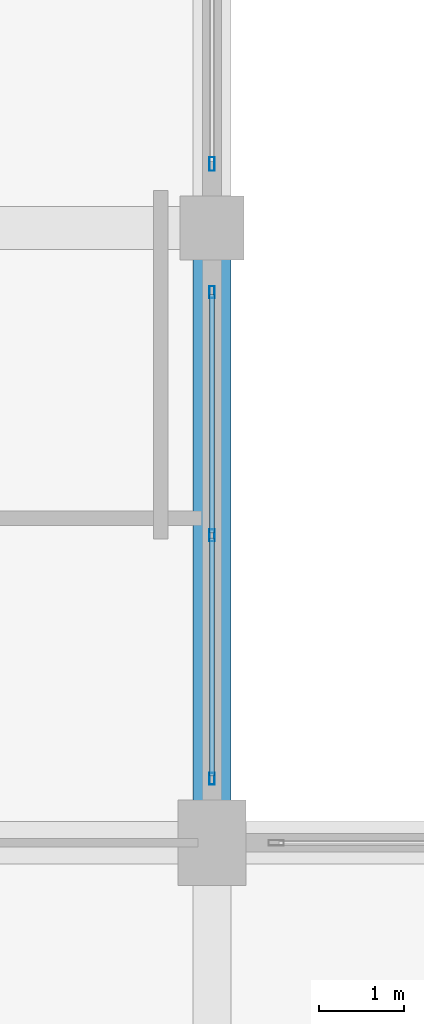
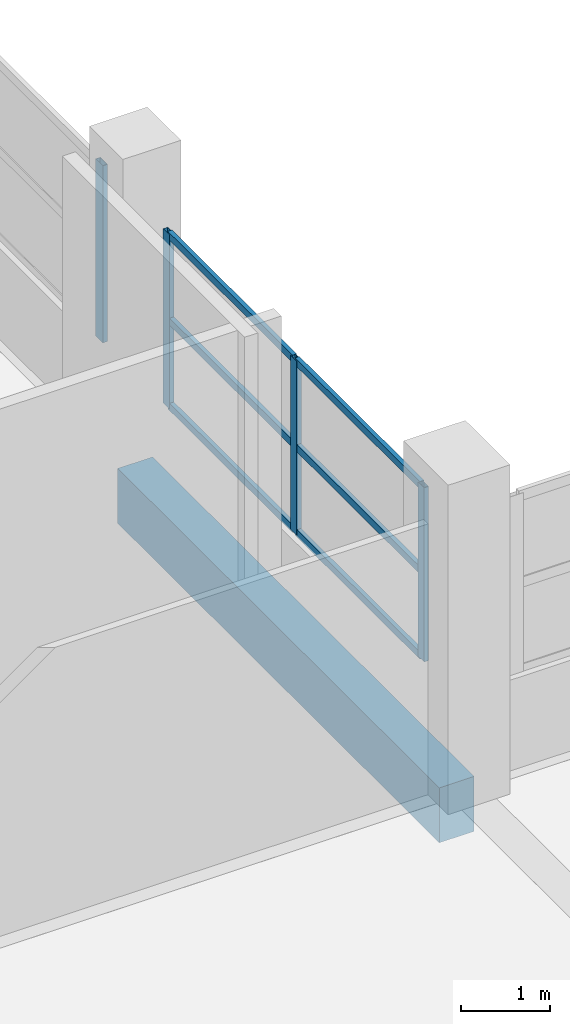
# One storey, part 18 of 141: 10 members, 1 beam, 2 elements without a shape of their own.
"""IFC4 building model written with IfcOpenShell, lengths in metres."""

from ifc_helpers import new_model, si_unit, direction, frame, origin, origin_2d, place, context, subcontext, project, spatial, rectangle, hollow_rectangle, extrude, material, layer, layer_set, material_profile, profile_set, type_object, element, aggregate, save


model = new_model("IFC4")

# Units and contexts
model_context = context("Model", 3, precision=1e-05, world=origin(), true_north=direction((0.0, 1.0)))
body_context = subcontext(model_context, "Body", "Model", "MODEL_VIEW")
ifc_project = project(units=[si_unit("LENGTHUNIT", "METRE"), si_unit("AREAUNIT", "SQUARE_METRE"), si_unit("VOLUMEUNIT", "CUBIC_METRE"), si_unit("PLANEANGLEUNIT", "RADIAN"), si_unit("MASSUNIT", "GRAM", prefix="KILO")], contexts=[model_context])

# Site, building, storey
site_placement = place(None, origin())
site = spatial("IfcSite", under=ifc_project, at=site_placement, CompositionType="ELEMENT")
building_placement = place(site_placement, origin())
building = spatial("IfcBuilding", under=site, at=building_placement, Name="Seraya Terrace Polytechnic", CompositionType="ELEMENT")
storey_placement = place(building_placement, frame((0.0, 0.0, 14.39990234375)))
storey = spatial("IfcBuildingStorey", under=building, at=storey_placement, Name="L03", CompositionType="ELEMENT", Elevation=14.39990234375)

# Beam
ifc_material_1 = material(Name="Concrete C40/50", Category="concrete")
ifc_material_profile_1 = material_profile(ifc_material_1, rectangle(XDim=0.449951171875, YDim=0.75, at=origin_2d()), Name="RC 450x750")
ifc_profile_set_1 = profile_set([ifc_material_profile_1], Name="Concrete C40/50")
beam_type = type_object("IfcBeamType", Name="BM-08", PredefinedType="BEAM", material=ifc_profile_set_1)
beam_placement = place(storey_placement, frame((43.199951171875, 28.800048828125, -0.375), z_axis=(0.0, 1.0, 0.0), x_axis=(-1.0, 0.0, 0.0)))
element("IfcBeam", 1, at=beam_placement, inside=storey, type_object=beam_type, Name="Beam BM-08 L03 Y (43.2, 28.8..36.0)", PredefinedType="BEAM", context=body_context, shape_type="SweptSolid", body=[
    extrude(rectangle(XDim=0.449951171875, YDim=0.75, at=origin_2d()), origin(), (0.0, 0.0, 1.0), 7.199951171875),
])

# Curtain wall, member
ifc_material_2 = material(Name="Anodised aluminium EN AW-6063 T6", Category="aluminium")
ifc_layer_1 = layer(ifc_material_2, 0.179931640625, Name="CW-05")
ifc_layer_set_1 = layer_set([ifc_layer_1], Name="Anodised aluminium EN AW-6063 T6")
curtain_wall_type_1 = type_object("IfcCurtainWallType", Name="CW-05", PredefinedType="NOTDEFINED", material=ifc_layer_set_1)
curtain_wall_1_placement = place(storey_placement, origin())
curtain_wall_1 = element("IfcCurtainWall", 2, at=curtain_wall_1_placement, inside=storey, type_object=curtain_wall_type_1, Name="Unitised curtain wall CW-05 (CW-L03-149)", PredefinedType="NOTDEFINED")
ifc_material_profile_2 = material_profile(ifc_material_2, hollow_rectangle(XDim=0.06005859375, YDim=0.159912109375, WallThickness=0.00341796875, at=origin_2d()), Name="RHS 160x60x3.5")
ifc_profile_set_2 = profile_set([ifc_material_profile_2], Name="Anodised aluminium EN AW-6063 T6")
member_type_1 = type_object("IfcMemberType", Name="CWM-02", PredefinedType="MULLION", material=ifc_profile_set_2)
member_1_placement = place(storey_placement, frame((43.199951171875, 36.75, 1.239990234375), z_axis=(0.0, 0.0, 1.0), x_axis=(1.0, 0.0, 0.0)))
member_1 = element("IfcMember", 3, at=member_1_placement, type_object=member_type_1, Name="CW-05 mullion 3", PredefinedType="MULLION", context=body_context, shape_type="SweptSolid", body=[
    extrude(hollow_rectangle(XDim=0.06005859375, YDim=0.159912109375, WallThickness=0.00341796875, at=origin_2d()), origin(), (0.0, 0.0, 1.0), 2.420166015625),
])
aggregate(curtain_wall_1, [member_1])

# Curtain wall, members
ifc_layer_2 = layer(ifc_material_2, 0.179931640625, Name="CW-06")
ifc_layer_set_2 = layer_set([ifc_layer_2], Name="Anodised aluminium EN AW-6063 T6")
curtain_wall_type_2 = type_object("IfcCurtainWallType", Name="CW-06", PredefinedType="NOTDEFINED", material=ifc_layer_set_2)
curtain_wall_2_placement = place(storey_placement, origin())
curtain_wall_2 = element("IfcCurtainWall", 4, at=curtain_wall_2_placement, inside=storey, type_object=curtain_wall_type_2, Name="Unitised curtain wall CW-06 (CW-L03-150)", PredefinedType="NOTDEFINED")
ifc_material_profile_3 = material_profile(ifc_material_2, hollow_rectangle(XDim=0.06005859375, YDim=0.139892578125, WallThickness=0.00341796875, at=origin_2d()), Name="RHS 140x60x3.5")
ifc_profile_set_3 = profile_set([ifc_material_profile_3], Name="Anodised aluminium EN AW-6063 T6")
member_type_2 = type_object("IfcMemberType", Name="CWM-03", PredefinedType="MULLION", material=ifc_profile_set_3)
member_2_placement = place(storey_placement, frame((43.199951171875, 35.25, 1.239990234375), z_axis=(0.0, 0.0, 1.0), x_axis=(1.0, 0.0, 0.0)))
member_2 = element("IfcMember", 5, at=member_2_placement, type_object=member_type_2, Name="CW-06 mullion 1", PredefinedType="MULLION", context=body_context, shape_type="SweptSolid", body=[
    extrude(hollow_rectangle(XDim=0.06005859375, YDim=0.139892578125, WallThickness=0.00341796875, at=origin_2d()), origin(), (0.0, 0.0, 1.0), 2.380126953125),
])
member_3_placement = place(storey_placement, frame((43.199951171875, 32.39990234375, 1.239990234375), z_axis=(0.0, 0.0, 1.0), x_axis=(1.0, 0.0, 0.0)))
member_3 = element("IfcMember", 6, at=member_3_placement, type_object=member_type_2, Name="CW-06 mullion 2", PredefinedType="MULLION", context=body_context, shape_type="SweptSolid", body=[
    extrude(hollow_rectangle(XDim=0.06005859375, YDim=0.139892578125, WallThickness=0.00341796875, at=origin_2d()), origin(), (0.0, 0.0, 1.0), 2.380126953125),
])
member_4_placement = place(storey_placement, frame((43.199951171875, 29.550048828125, 1.239990234375), z_axis=(0.0, 0.0, 1.0), x_axis=(1.0, 0.0, 0.0)))
member_4 = element("IfcMember", 7, at=member_4_placement, type_object=member_type_2, Name="CW-06 mullion 3", PredefinedType="MULLION", context=body_context, shape_type="SweptSolid", body=[
    extrude(hollow_rectangle(XDim=0.06005859375, YDim=0.139892578125, WallThickness=0.00341796875, at=origin_2d()), origin(), (0.0, 0.0, 1.0), 2.380126953125),
])
ifc_material_profile_4 = material_profile(ifc_material_2, hollow_rectangle(XDim=0.054931640625, YDim=0.10009765625, WallThickness=0.0029296875, at=origin_2d()), Name="RHS 100x55x3.0")
ifc_profile_set_4 = profile_set([ifc_material_profile_4], Name="Anodised aluminium EN AW-6063 T6")
member_type_3 = type_object("IfcMemberType", Name="CWT-03", PredefinedType="USERDEFINED", material=ifc_profile_set_4)
member_5_placement = place(storey_placement, frame((43.199951171875, 35.219970703125, 1.267578125), z_axis=(0.0, -1.0, 0.0), x_axis=(1.0, 0.0, 0.0)))
member_5 = element("IfcMember", 8, at=member_5_placement, type_object=member_type_3, Name="CW-06 transom 1.1", ObjectType="TRANSOM", PredefinedType="USERDEFINED", context=body_context, shape_type="SweptSolid", body=[
    extrude(hollow_rectangle(XDim=0.054931640625, YDim=0.10009765625, WallThickness=0.0029296875, at=origin_2d()), origin(), (0.0, 0.0, 1.0), 2.7900390625),
])
member_6_placement = place(storey_placement, frame((43.199951171875, 35.219970703125, 2.43017578125), z_axis=(0.0, -1.0, 0.0), x_axis=(1.0, 0.0, 0.0)))
member_6 = element("IfcMember", 9, at=member_6_placement, type_object=member_type_3, Name="CW-06 transom 1.2", ObjectType="TRANSOM", PredefinedType="USERDEFINED", context=body_context, shape_type="SweptSolid", body=[
    extrude(hollow_rectangle(XDim=0.054931640625, YDim=0.10009765625, WallThickness=0.0029296875, at=origin_2d()), origin(), (0.0, 0.0, 1.0), 2.7900390625),
])
member_7_placement = place(storey_placement, frame((43.199951171875, 35.219970703125, 3.592529296875), z_axis=(0.0, -1.0, 0.0), x_axis=(1.0, 0.0, 0.0)))
member_7 = element("IfcMember", 10, at=member_7_placement, type_object=member_type_3, Name="CW-06 transom 1.3", ObjectType="TRANSOM", PredefinedType="USERDEFINED", context=body_context, shape_type="SweptSolid", body=[
    extrude(hollow_rectangle(XDim=0.054931640625, YDim=0.10009765625, WallThickness=0.0029296875, at=origin_2d()), origin(), (0.0, 0.0, 1.0), 2.7900390625),
])
member_8_placement = place(storey_placement, frame((43.199951171875, 32.3701171875, 1.267578125), z_axis=(0.0, -1.0, 0.0), x_axis=(1.0, 0.0, 0.0)))
member_8 = element("IfcMember", 11, at=member_8_placement, type_object=member_type_3, Name="CW-06 transom 2.1", ObjectType="TRANSOM", PredefinedType="USERDEFINED", context=body_context, shape_type="SweptSolid", body=[
    extrude(hollow_rectangle(XDim=0.054931640625, YDim=0.10009765625, WallThickness=0.0029296875, at=origin_2d()), origin(), (0.0, 0.0, 1.0), 2.7900390625),
])
member_9_placement = place(storey_placement, frame((43.199951171875, 32.3701171875, 2.43017578125), z_axis=(0.0, -1.0, 0.0), x_axis=(1.0, 0.0, 0.0)))
member_9 = element("IfcMember", 12, at=member_9_placement, type_object=member_type_3, Name="CW-06 transom 2.2", ObjectType="TRANSOM", PredefinedType="USERDEFINED", context=body_context, shape_type="SweptSolid", body=[
    extrude(hollow_rectangle(XDim=0.054931640625, YDim=0.10009765625, WallThickness=0.0029296875, at=origin_2d()), origin(), (0.0, 0.0, 1.0), 2.7900390625),
])
member_10_placement = place(storey_placement, frame((43.199951171875, 32.3701171875, 3.592529296875), z_axis=(0.0, -1.0, 0.0), x_axis=(1.0, 0.0, 0.0)))
member_10 = element("IfcMember", 13, at=member_10_placement, type_object=member_type_3, Name="CW-06 transom 2.3", ObjectType="TRANSOM", PredefinedType="USERDEFINED", context=body_context, shape_type="SweptSolid", body=[
    extrude(hollow_rectangle(XDim=0.054931640625, YDim=0.10009765625, WallThickness=0.0029296875, at=origin_2d()), origin(), (0.0, 0.0, 1.0), 2.7900390625),
])
aggregate(curtain_wall_2, [member_2, member_3, member_4, member_5, member_6, member_7, member_8, member_9, member_10])

save(model, "model.ifc")
